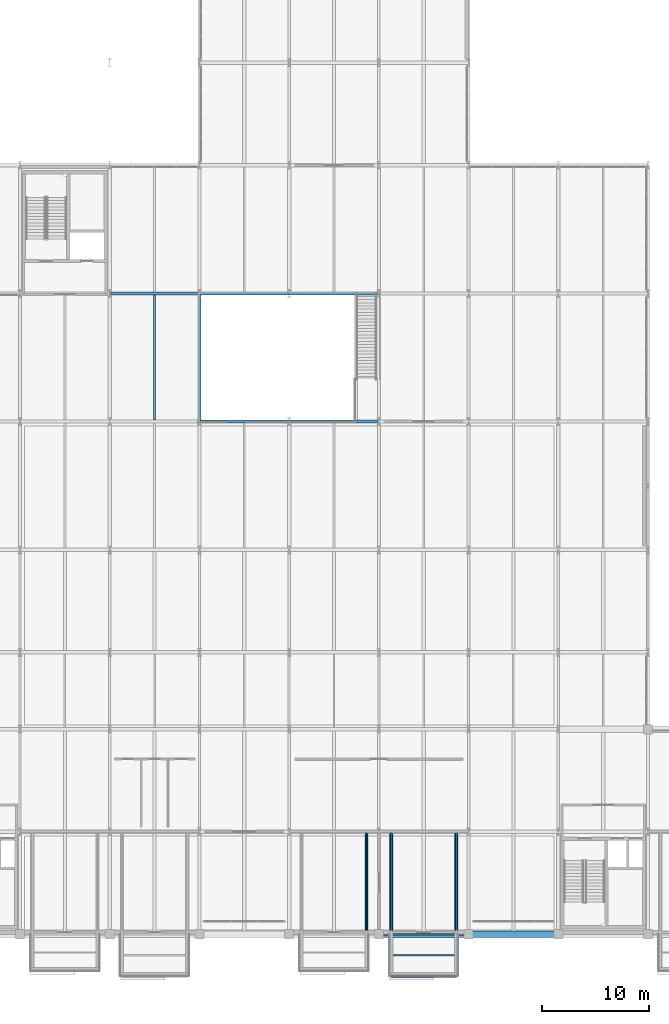
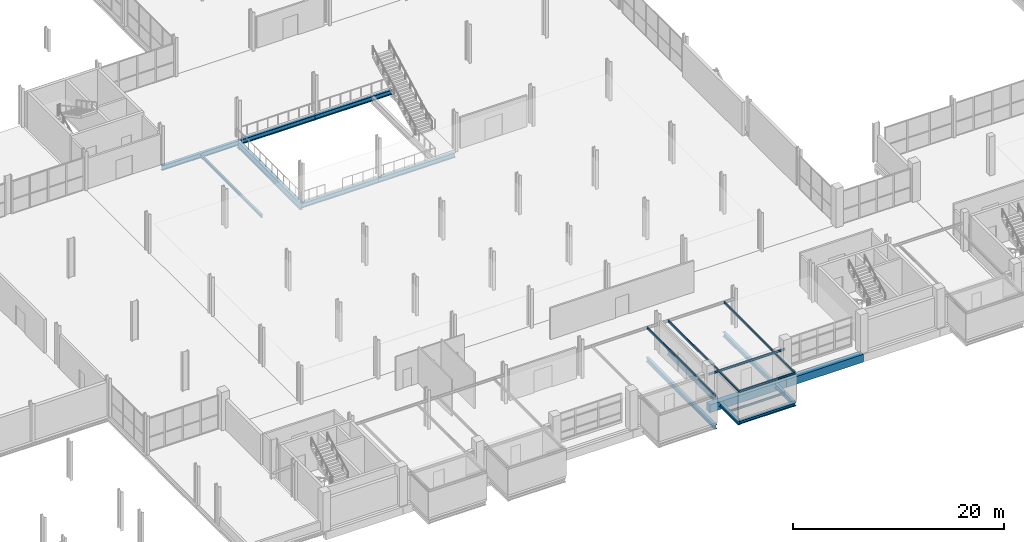
# One storey, part 25 of 113: 19 beams.
"""IFC4 building model written with IfcOpenShell, lengths in metres."""

from ifc_helpers import new_model, si_unit, direction, frame, origin, origin_2d, place, context, subcontext, project, spatial, rectangle, i_section, extrude, material, material_profile, profile_set, type_object, element, save


model = new_model("IFC4")

# Units and contexts
model_context = context("Model", 3, precision=1e-05, world=origin(), true_north=direction((0.0, 1.0)))
body_context = subcontext(model_context, "Body", "Model", "MODEL_VIEW")
ifc_project = project(units=[si_unit("LENGTHUNIT", "METRE"), si_unit("AREAUNIT", "SQUARE_METRE"), si_unit("VOLUMEUNIT", "CUBIC_METRE"), si_unit("PLANEANGLEUNIT", "RADIAN"), si_unit("MASSUNIT", "GRAM", prefix="KILO")], contexts=[model_context])

# Site, building, storey
site_placement = place(None, origin())
site = spatial("IfcSite", under=ifc_project, at=site_placement, CompositionType="ELEMENT")
building_placement = place(site_placement, origin())
building = spatial("IfcBuilding", under=site, at=building_placement, Name="Veltarok Museum of Natural Sciences", CompositionType="ELEMENT")
storey_placement = place(building_placement, frame((0.0, 0.0, 8.39990234375)))
storey = spatial("IfcBuildingStorey", under=building, at=storey_placement, Name="L01", CompositionType="ELEMENT", Elevation=8.39990234375)

# Beams
ifc_material_1 = material(Name="Steel S355J2", Category="steel")
ifc_material_profile_1 = material_profile(ifc_material_1, i_section(OverallWidth=0.300048828125, OverallDepth=0.800048828125, WebThickness=0.017578125, FlangeThickness=0.032958984375, FilletRadius=0.030029296875, at=origin_2d()), Name="HEB 800")
ifc_profile_set_1 = profile_set([ifc_material_profile_1], Name="Steel S355J2")
beam_type_1 = type_object("IfcBeamType", Name="Atrium Edge Transfer Girder HEB 800", PredefinedType="BEAM", material=ifc_profile_set_1)
beam_1_placement = place(storey_placement, frame((56.800048828125, 48.0, -0.64990234375), z_axis=(0.0, 1.0, 0.0), x_axis=(-1.0, 0.0, 0.0)))
element("IfcBeam", 1, at=beam_1_placement, inside=storey, type_object=beam_type_1, Name="Beam BM-G06 L01 7/F-G", PredefinedType="BEAM", context=body_context, shape_type="SweptSolid", body=[
    extrude(i_section(OverallWidth=0.300048828125, OverallDepth=0.800048828125, WebThickness=0.017578125, FlangeThickness=0.032958984375, FilletRadius=0.030029296875, at=origin_2d()), origin(), (0.0, 0.0, 1.0), 12.0),
])
ifc_material_profile_2 = material_profile(ifc_material_1, i_section(OverallWidth=0.300048828125, OverallDepth=0.5, WebThickness=0.014404296875, FlangeThickness=0.028076171875, FilletRadius=0.027099609375, at=origin_2d()), Name="HEB 500")
ifc_profile_set_2 = profile_set([ifc_material_profile_2], Name="Steel S355J2")
beam_type_2 = type_object("IfcBeamType", Name="Cabinet Box Cantilever Girder HEB 500", PredefinedType="BEAM", material=ifc_profile_set_2)
beam_2_placement = place(storey_placement, frame((72.449951171875, -3.39990234375, -0.5), z_axis=(0.0, 1.0, 0.0), x_axis=(-1.0, 0.0, 0.0)))
element("IfcBeam", 2, at=beam_2_placement, inside=storey, type_object=beam_type_2, Name="Cabinet Cantilever Girder DB-03-2", PredefinedType="BEAM", context=body_context, shape_type="SweptSolid", body=[
    extrude(i_section(OverallWidth=0.300048828125, OverallDepth=0.5, WebThickness=0.014404296875, FlangeThickness=0.028076171875, FilletRadius=0.027099609375, at=origin_2d()), origin(), (0.0, 0.0, 1.0), 13.0),
])
for number, where, z_axis, x_axis, name in (
    (3, (74.75, -3.89990234375, -0.5), (0.0, 1.0, 0.0), (-1.0, 0.0, 0.0), "Cabinet Cantilever Girder DB-04-1"),
    (4, (80.85009765625, -3.89990234375, -0.5), (0.0, 1.0, 0.0), (-1.0, 0.0, 0.0), "Cabinet Cantilever Girder DB-04-2"),
):
    element("IfcBeam", number, at=place(storey_placement, frame(where, z_axis=z_axis, x_axis=x_axis)), inside=storey, type_object=beam_type_2, Name=name, PredefinedType="BEAM", context=body_context, shape_type="SweptSolid", body=[
        extrude(i_section(OverallWidth=0.300048828125, OverallDepth=0.5, WebThickness=0.014404296875, FlangeThickness=0.028076171875, FilletRadius=0.027099609375, at=origin_2d()), origin(), (0.0, 0.0, 1.0), 13.5),
    ])
ifc_material_profile_3 = material_profile(ifc_material_1, i_section(OverallWidth=0.1201171875, OverallDepth=0.239990234375, WebThickness=0.006103515625, FlangeThickness=0.009765625, FilletRadius=0.014892578125, at=origin_2d()), Name="IPE 240")
ifc_profile_set_3 = profile_set([ifc_material_profile_3], Name="Steel S355J2")
beam_type_3 = type_object("IfcBeamType", Name="Cabinet Box Secondary Joist IPE 240", PredefinedType="JOIST", material=ifc_profile_set_3)
beam_3_placement = place(storey_placement, frame((72.449951171875, -3.39990234375, 3.130126953125), z_axis=(0.0, 1.0, 0.0), x_axis=(-1.0, 0.0, 0.0)))
element("IfcBeam", 5, at=beam_3_placement, inside=storey, type_object=beam_type_3, Name="Cabinet Roof Rafter DB-03-2", PredefinedType="JOIST", context=body_context, shape_type="SweptSolid", body=[
    extrude(i_section(OverallWidth=0.1201171875, OverallDepth=0.239990234375, WebThickness=0.006103515625, FlangeThickness=0.009765625, FilletRadius=0.014892578125, at=origin_2d()), origin(), (0.0, 0.0, 1.0), 13.0),
])
for number, where, z_axis, x_axis, name in (
    (6, (74.75, -3.89990234375, 3.130126953125), (0.0, 1.0, 0.0), (-1.0, 0.0, 0.0), "Cabinet Roof Rafter DB-04-1"),
    (7, (80.85009765625, -3.89990234375, 3.130126953125), (0.0, 1.0, 0.0), (-1.0, 0.0, 0.0), "Cabinet Roof Rafter DB-04-2"),
):
    element("IfcBeam", number, at=place(storey_placement, frame(where, z_axis=z_axis, x_axis=x_axis)), inside=storey, type_object=beam_type_3, Name=name, PredefinedType="JOIST", context=body_context, shape_type="SweptSolid", body=[
        extrude(i_section(OverallWidth=0.1201171875, OverallDepth=0.239990234375, WebThickness=0.006103515625, FlangeThickness=0.009765625, FilletRadius=0.014892578125, at=origin_2d()), origin(), (0.0, 0.0, 1.0), 13.5),
    ])
beam_4_placement = place(storey_placement, frame((73.60009765625, 0.0, 3.130126953125), z_axis=(1.0, 0.0, 0.0), x_axis=(0.0, 1.0, 0.0)))
element("IfcBeam", 8, at=beam_4_placement, inside=storey, type_object=beam_type_3, Name="Cabinet Roof Tie Beam DB-04-P", PredefinedType="JOIST", context=body_context, shape_type="SweptSolid", body=[
    extrude(i_section(OverallWidth=0.1201171875, OverallDepth=0.239990234375, WebThickness=0.006103515625, FlangeThickness=0.009765625, FilletRadius=0.014892578125, at=origin_2d()), origin(), (0.0, 0.0, 1.0), 8.39990234375),
])
for number, where, z_axis, x_axis, name in (
    (9, (74.75, -3.89990234375, 3.130126953125), (1.0, 0.0, 0.0), (0.0, 1.0, 0.0), "Cabinet Roof Tip Header DB-04"),
    (10, (74.75, -1.949951171875, -0.369873046875), (1.0, 0.0, 0.0), (0.0, 1.0, 0.0), "Cabinet Box Joist DB-04"),
):
    element("IfcBeam", number, at=place(storey_placement, frame(where, z_axis=z_axis, x_axis=x_axis)), inside=storey, type_object=beam_type_3, Name=name, PredefinedType="JOIST", context=body_context, shape_type="SweptSolid", body=[
        extrude(i_section(OverallWidth=0.1201171875, OverallDepth=0.239990234375, WebThickness=0.006103515625, FlangeThickness=0.009765625, FilletRadius=0.014892578125, at=origin_2d()), origin(), (0.0, 0.0, 1.0), 6.10009765625),
    ])
ifc_material_profile_4 = material_profile(ifc_material_1, i_section(OverallWidth=0.300048828125, OverallDepth=0.35009765625, WebThickness=0.010009765625, FlangeThickness=0.017578125, FilletRadius=0.027099609375, at=origin_2d()), Name="HEA 360")
ifc_profile_set_4 = profile_set([ifc_material_profile_4], Name="Steel S355J2")
beam_type_4 = type_object("IfcBeamType", Name="Cabinet Box Tip Header HEA 360", PredefinedType="BEAM", material=ifc_profile_set_4)
beam_5_placement = place(storey_placement, frame((74.75, -3.89990234375, -0.4248046875), z_axis=(1.0, 0.0, 0.0), x_axis=(0.0, 1.0, 0.0)))
element("IfcBeam", 11, at=beam_5_placement, inside=storey, type_object=beam_type_4, Name="Cabinet Tip Header DB-04", PredefinedType="BEAM", context=body_context, shape_type="SweptSolid", body=[
    extrude(i_section(OverallWidth=0.300048828125, OverallDepth=0.35009765625, WebThickness=0.010009765625, FlangeThickness=0.017578125, FilletRadius=0.027099609375, at=origin_2d()), origin(), (0.0, 0.0, 1.0), 6.10009765625),
])
ifc_material_2 = material(Name="Concrete C40/50", Category="concrete")
ifc_material_profile_5 = material_profile(ifc_material_2, rectangle(XDim=0.60009765625, YDim=0.89990234375, at=origin_2d()), Name="RC 600x900")
ifc_profile_set_5 = profile_set([ifc_material_profile_5], Name="Concrete C40/50")
beam_type_5 = type_object("IfcBeamType", Name="Exposed Cabinet Perimeter Spandrel RC 600x900", PredefinedType="SPANDREL", material=ifc_profile_set_5)
for number, where, z_axis, x_axis, name in (
    (12, (73.60009765625, 0.0, -0.699951171875), (1.0, 0.0, 0.0), (0.0, 1.0, 0.0), "Beam BM-SP01 L01 9-10/A"),
    (13, (82.0, 0.0, -0.699951171875), (1.0, 0.0, 0.0), (0.0, 1.0, 0.0), "Beam BM-SP01 L01 10-11/A"),
):
    element("IfcBeam", number, at=place(storey_placement, frame(where, z_axis=z_axis, x_axis=x_axis)), inside=storey, type_object=beam_type_5, Name=name, PredefinedType="SPANDREL", context=body_context, shape_type="SweptSolid", body=[
        extrude(rectangle(XDim=0.60009765625, YDim=0.89990234375, at=origin_2d()), origin(), (0.0, 0.0, 1.0), 8.39990234375),
    ])
ifc_material_profile_6 = material_profile(ifc_material_1, i_section(OverallWidth=0.300048828125, OverallDepth=0.550048828125, WebThickness=0.014892578125, FlangeThickness=0.029052734375, FilletRadius=0.027099609375, at=origin_2d()), Name="HEB 550")
ifc_profile_set_6 = profile_set([ifc_material_profile_6], Name="Steel S355J2")
beam_type_6 = type_object("IfcBeamType", Name="Gallery Girder HEB 550", PredefinedType="BEAM", material=ifc_profile_set_6)
beam_6_placement = place(storey_placement, frame((56.800048828125, 48.0, -0.52490234375), z_axis=(1.0, 0.0, 0.0), x_axis=(0.0, 1.0, 0.0)))
element("IfcBeam", 14, at=beam_6_placement, inside=storey, type_object=beam_type_6, Name="Beam BM-G10 L01 7-8/F", PredefinedType="BEAM", context=body_context, shape_type="SweptSolid", body=[
    extrude(i_section(OverallWidth=0.300048828125, OverallDepth=0.550048828125, WebThickness=0.014892578125, FlangeThickness=0.029052734375, FilletRadius=0.027099609375, at=origin_2d()), origin(), (0.0, 0.0, 1.0), 8.39990234375),
])
for number, where, z_axis, x_axis, name in (
    (15, (65.199951171875, 48.0, -0.52490234375), (1.0, 0.0, 0.0), (0.0, 1.0, 0.0), "Beam BM-G10 L01 8-9/F"),
    (16, (48.39990234375, 60.0, -0.52490234375), (1.0, 0.0, 0.0), (0.0, 1.0, 0.0), "Beam BM-G10 L01 6-7/G"),
):
    element("IfcBeam", number, at=place(storey_placement, frame(where, z_axis=z_axis, x_axis=x_axis)), inside=storey, type_object=beam_type_6, Name=name, PredefinedType="BEAM", context=body_context, shape_type="SweptSolid", body=[
        extrude(i_section(OverallWidth=0.300048828125, OverallDepth=0.550048828125, WebThickness=0.014892578125, FlangeThickness=0.029052734375, FilletRadius=0.027099609375, at=origin_2d()), origin(), (0.0, 0.0, 1.0), 8.400146484375),
    ])
beam_7_placement = place(storey_placement, frame((56.800048828125, 60.0, -0.52490234375), z_axis=(1.0, 0.0, 0.0), x_axis=(0.0, 1.0, 0.0)))
element("IfcBeam", 17, at=beam_7_placement, inside=storey, type_object=beam_type_6, Name="Beam BM-G10 L01 7-8/G", PredefinedType="BEAM", context=body_context, shape_type="SweptSolid", body=[
    extrude(i_section(OverallWidth=0.300048828125, OverallDepth=0.550048828125, WebThickness=0.014892578125, FlangeThickness=0.029052734375, FilletRadius=0.027099609375, at=origin_2d()), origin(), (0.0, 0.0, 1.0), 8.39990234375),
])
beam_8_placement = place(storey_placement, frame((65.199951171875, 60.0, -0.52490234375), z_axis=(1.0, 0.0, 0.0), x_axis=(0.0, 1.0, 0.0)))
element("IfcBeam", 18, at=beam_8_placement, inside=storey, type_object=beam_type_6, Name="Beam BM-G10 L01 8-9/G", PredefinedType="BEAM", context=body_context, shape_type="SweptSolid", body=[
    extrude(i_section(OverallWidth=0.300048828125, OverallDepth=0.550048828125, WebThickness=0.014892578125, FlangeThickness=0.029052734375, FilletRadius=0.027099609375, at=origin_2d()), origin(), (0.0, 0.0, 1.0), 8.400146484375),
])
ifc_material_profile_7 = material_profile(ifc_material_1, i_section(OverallWidth=0.169921875, OverallDepth=0.360107421875, WebThickness=0.008056640625, FlangeThickness=0.0126953125, FilletRadius=0.01806640625, at=origin_2d()), Name="IPE 360")
ifc_profile_set_7 = profile_set([ifc_material_profile_7], Name="Steel S355J2")
beam_type_7 = type_object("IfcBeamType", Name="Long-Bay Composite Joist IPE 360", PredefinedType="JOIST", material=ifc_profile_set_7)
beam_9_placement = place(storey_placement, frame((52.60009765625, 48.14794921875, -0.429931640625), z_axis=(0.0, 1.0, 0.0), x_axis=(-1.0, 0.0, 0.0)))
element("IfcBeam", 19, at=beam_9_placement, inside=storey, type_object=beam_type_7, Name="Secondary Joist BM-J01 L01 6-7/F-G.1", PredefinedType="JOIST", context=body_context, shape_type="SweptSolid", body=[
    extrude(i_section(OverallWidth=0.169921875, OverallDepth=0.360107421875, WebThickness=0.008056640625, FlangeThickness=0.0126953125, FilletRadius=0.01806640625, at=origin_2d()), origin(), (0.0, 0.0, 1.0), 11.7041015625),
])

save(model, "model.ifc")
